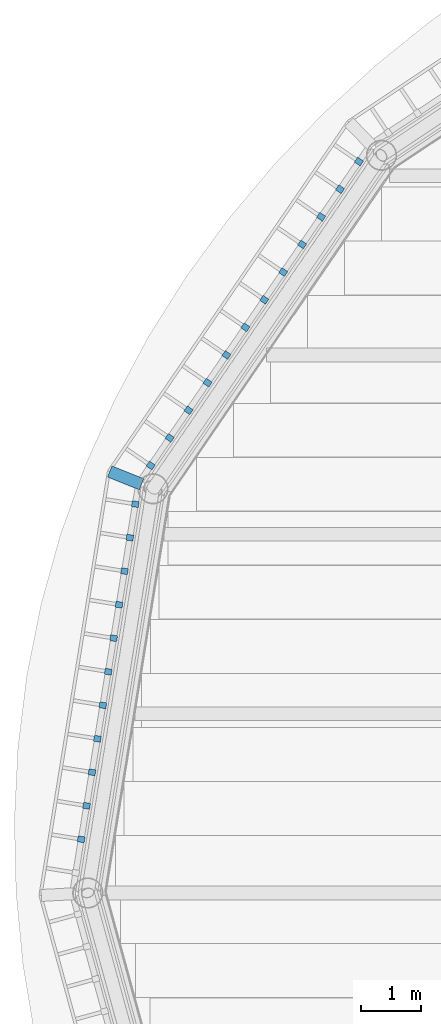
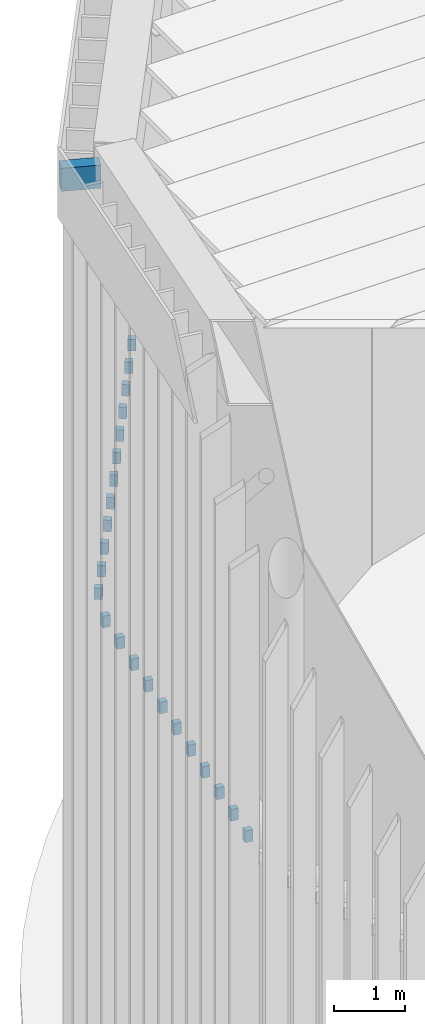
# One storey, part 6 of 11: 24 discrete accessories.
"""IFC4 building model written with IfcOpenShell, lengths in metres."""

from ifc_helpers import new_model, si_unit, direction, frame, origin, origin_2d, place, context, subcontext, project, spatial, rectangle, extrude, material, type_object, element, save


model = new_model("IFC4")

# Units and contexts
model_context = context("Model", 3, precision=1e-05, world=origin(), true_north=direction((0.0, 1.0)))
body_context = subcontext(model_context, "Body", "Model", "MODEL_VIEW")
ifc_project = project(units=[si_unit("LENGTHUNIT", "METRE"), si_unit("AREAUNIT", "SQUARE_METRE"), si_unit("VOLUMEUNIT", "CUBIC_METRE"), si_unit("PLANEANGLEUNIT", "RADIAN"), si_unit("MASSUNIT", "GRAM", prefix="KILO")], contexts=[model_context])

# Site, building, storey
site_placement = place(None, origin())
site = spatial("IfcSite", under=ifc_project, at=site_placement, CompositionType="ELEMENT")
building_placement = place(site_placement, origin())
building = spatial("IfcBuilding", under=site, at=building_placement, Name="Marramba Exchange Tower", CompositionType="ELEMENT")
storey_placement = place(building_placement, frame((0.0, 0.0, 282.0)))
storey = spatial("IfcBuildingStorey", under=building, at=storey_placement, Name="Roof crown", CompositionType="ELEMENT", Elevation=282.0)

# Discrete accessories
ifc_material = material(Name="Steel bracket, hot-dip galvanised", Category="steel")
discrete_accessory_type_1 = type_object("IfcDiscreteAccessoryType", Name="CROWN CAP PANEL BRACKET 200x400", PredefinedType="BRACKET", material=ifc_material)
discrete_accessory_placement = place(storey_placement, frame((-21.26611328125, 6.944091796875, 15.300048828125), z_axis=(0.0, 0.0, 1.0), x_axis=(-0.928530290423, 0.371256649458, 0.0)))
element("IfcDiscreteAccessory", 1, at=discrete_accessory_placement, inside=storey, type_object=discrete_accessory_type_1, Name="Crown cap panel bracket CB2 at post CF10", PredefinedType="BRACKET", context=body_context, shape_type="SweptSolid", body=[
    extrude(rectangle(XDim=0.571044921875, YDim=0.199951171875, at=origin_2d()), origin(), (0.0, 0.0, 1.0), 0.39990234375),
])
discrete_accessory_type_2 = type_object("IfcDiscreteAccessoryType", Name="CROWN SCREEN FIN BRACKET 100x200", PredefinedType="BRACKET", material=ifc_material)
for number, where, z_axis, x_axis, name in (
    (2, (-17.36279296875, 12.235595703125, 7.89990234375), (0.0, 0.0, 1.0), (-0.565176475793, -0.824970030492, 0.0), "Crown screen fin bracket CB1 bay 09 fin 01"),
    (3, (-17.679443359375, 11.773193359375, 7.89990234375), (0.0, 0.0, 1.0), (-0.565176475793, -0.824970030492, 0.0), "Crown screen fin bracket CB1 bay 09 fin 02"),
    (4, (-17.99609375, 11.31103515625, 7.89990234375), (0.0, 0.0, 1.0), (-0.565176475793, -0.824970030492, 0.0), "Crown screen fin bracket CB1 bay 09 fin 03"),
    (5, (-18.31298828125, 10.848876953125, 7.89990234375), (0.0, 0.0, 1.0), (-0.565176475793, -0.824970030492, 0.0), "Crown screen fin bracket CB1 bay 09 fin 04"),
    (6, (-18.629638671875, 10.386474609375, 7.89990234375), (0.0, 0.0, 1.0), (-0.565176475793, -0.824970030492, 0.0), "Crown screen fin bracket CB1 bay 09 fin 05"),
    (7, (-18.9462890625, 9.92431640625, 7.89990234375), (0.0, 0.0, 1.0), (-0.565176475793, -0.824970030492, 0.0), "Crown screen fin bracket CB1 bay 09 fin 06"),
    (8, (-19.262939453125, 9.4619140625, 7.89990234375), (0.0, 0.0, 1.0), (-0.565176475793, -0.824970030492, 0.0), "Crown screen fin bracket CB1 bay 09 fin 07"),
    (9, (-19.57958984375, 8.999755859375, 7.89990234375), (0.0, 0.0, 1.0), (-0.565176475793, -0.824970030492, 0.0), "Crown screen fin bracket CB1 bay 09 fin 08"),
    (10, (-19.896240234375, 8.53759765625, 7.89990234375), (0.0, 0.0, 1.0), (-0.565176475793, -0.824970030492, 0.0), "Crown screen fin bracket CB1 bay 09 fin 09"),
    (11, (-20.212890625, 8.0751953125, 7.89990234375), (0.0, 0.0, 1.0), (-0.565176475793, -0.824970030492, 0.0), "Crown screen fin bracket CB1 bay 09 fin 10"),
    (12, (-20.52978515625, 7.613037109375, 7.89990234375), (0.0, 0.0, 1.0), (-0.565176475793, -0.824970030492, 0.0), "Crown screen fin bracket CB1 bay 09 fin 11"),
    (13, (-20.846435546875, 7.150634765625, 7.89990234375), (0.0, 0.0, 1.0), (-0.565176475793, -0.824970030492, 0.0), "Crown screen fin bracket CB1 bay 09 fin 12"),
    (14, (-21.1044921875, 6.5048828125, 7.89990234375), (0.0, 0.0, 1.0), (-0.159394110696, -0.987215031022, 0.0), "Crown screen fin bracket CB1 bay 10 fin 01"),
    (15, (-21.195068359375, 5.944091796875, 7.89990234375), (0.0, 0.0, 1.0), (-0.159394110696, -0.987215031022, 0.0), "Crown screen fin bracket CB1 bay 10 fin 02"),
    (16, (-21.28564453125, 5.38330078125, 7.89990234375), (0.0, 0.0, 1.0), (-0.159394110696, -0.987215031022, 0.0), "Crown screen fin bracket CB1 bay 10 fin 03"),
    (17, (-21.376220703125, 4.822509765625, 7.89990234375), (0.0, 0.0, 1.0), (-0.159394110696, -0.987215031022, 0.0), "Crown screen fin bracket CB1 bay 10 fin 04"),
    (18, (-21.466796875, 4.26171875, 7.89990234375), (0.0, 0.0, 1.0), (-0.159394110696, -0.987215031022, 0.0), "Crown screen fin bracket CB1 bay 10 fin 05"),
    (19, (-21.557373046875, 3.700927734375, 7.89990234375), (0.0, 0.0, 1.0), (-0.159394110696, -0.987215031022, 0.0), "Crown screen fin bracket CB1 bay 10 fin 06"),
    (20, (-21.64794921875, 3.14013671875, 7.89990234375), (0.0, 0.0, 1.0), (-0.159394110696, -0.987215031022, 0.0), "Crown screen fin bracket CB1 bay 10 fin 07"),
    (21, (-21.73828125, 2.579345703125, 7.89990234375), (0.0, 0.0, 1.0), (-0.159394110696, -0.987215031022, 0.0), "Crown screen fin bracket CB1 bay 10 fin 08"),
    (22, (-21.828857421875, 2.0185546875, 7.89990234375), (0.0, 0.0, 1.0), (-0.159394110696, -0.987215031022, 0.0), "Crown screen fin bracket CB1 bay 10 fin 09"),
    (23, (-21.91943359375, 1.457763671875, 7.89990234375), (0.0, 0.0, 1.0), (-0.159394110696, -0.987215031022, 0.0), "Crown screen fin bracket CB1 bay 10 fin 10"),
    (24, (-22.010009765625, 0.89697265625, 7.89990234375), (0.0, 0.0, 1.0), (-0.159394110696, -0.987215031022, 0.0), "Crown screen fin bracket CB1 bay 10 fin 11"),
):
    element("IfcDiscreteAccessory", number, at=place(storey_placement, frame(where, z_axis=z_axis, x_axis=x_axis)), inside=storey, type_object=discrete_accessory_type_2, Name=name, PredefinedType="BRACKET", context=body_context, shape_type="SweptSolid", body=[
        extrude(rectangle(XDim=0.10009765625, YDim=0.11669921875, at=origin_2d()), origin(), (0.0, 0.0, 1.0), 0.199951171875),
    ])

save(model, "model.ifc")
